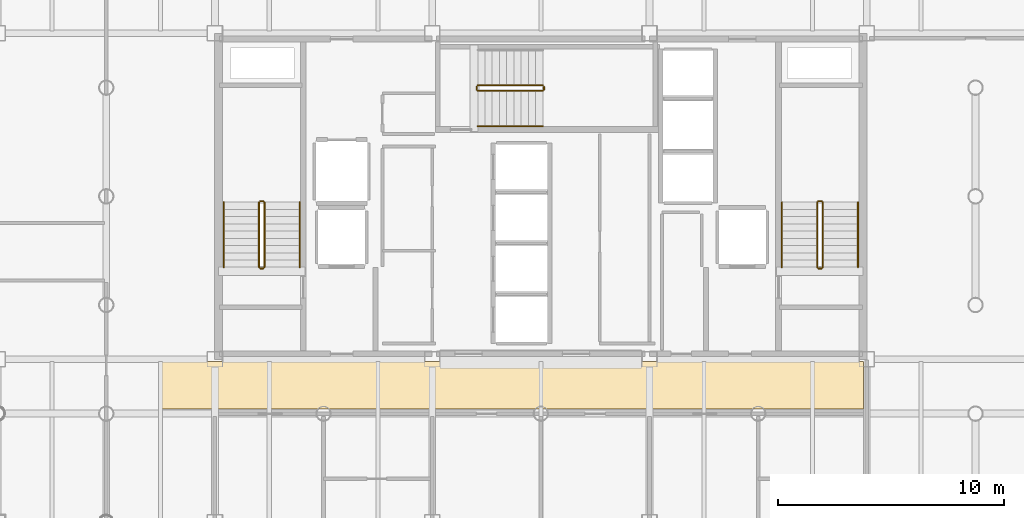
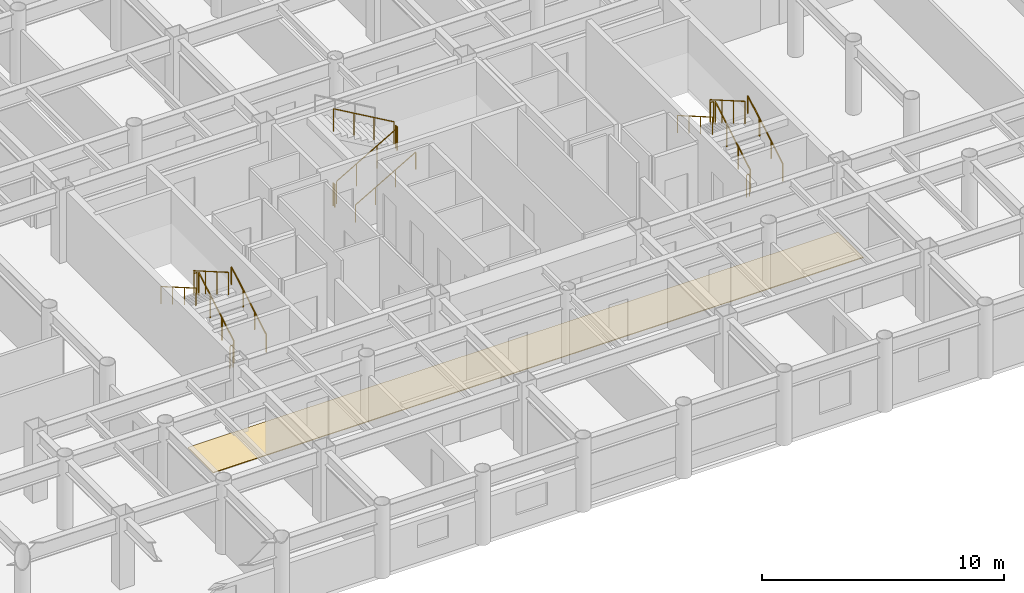
# One storey, part 20 of 21: 17 railings, 1 covering.
"""IFC4 building model written with IfcOpenShell, lengths in metres."""

from ifc_helpers import new_model, si_unit, direction, frame, origin, origin_2d, place, context, subcontext, project, spatial, rectangle, circle, extrude, material, layer, layer_set, type_object, element, save


model = new_model("IFC4")

# Units and contexts
model_context = context("Model", 3, precision=1e-05, world=origin(), true_north=direction((0.0, 1.0)))
body_context = subcontext(model_context, "Body", "Model", "MODEL_VIEW")
ifc_project = project(units=[si_unit("LENGTHUNIT", "METRE"), si_unit("AREAUNIT", "SQUARE_METRE"), si_unit("VOLUMEUNIT", "CUBIC_METRE"), si_unit("PLANEANGLEUNIT", "RADIAN"), si_unit("MASSUNIT", "GRAM", prefix="KILO")], contexts=[model_context])

# Site, building, storey
site_placement = place(None, origin())
site = spatial("IfcSite", under=ifc_project, at=site_placement, CompositionType="ELEMENT")
building_placement = place(site_placement, origin())
building = spatial("IfcBuilding", under=site, at=building_placement, Name="Kallvorn Hotel Tower", CompositionType="ELEMENT")
storey_placement = place(building_placement, frame((0.0, 0.0, 139.60009765625)))
storey = spatial("IfcBuildingStorey", under=building, at=storey_placement, Name="L34", CompositionType="ELEMENT", Elevation=139.60009765625)

# Covering
ifc_material_1 = material(Name="Honed Andean stone terrazzo floor finish", Category="masonry")
ifc_layer_1 = layer(ifc_material_1, 0.0400390625)
ifc_layer_set_1 = layer_set([ifc_layer_1], Name="COV_FLOOR_TERR")
covering_type = type_object("IfcCoveringType", Name="COV_FLOOR_TERR", PredefinedType="FLOORING", material=ifc_layer_set_1)
covering_placement = place(storey_placement, frame((-1.27490234375, -8.35009765625, 0.0), z_axis=(0.0, 0.0, 1.0), x_axis=(1.0, 0.0, 0.0)))
element("IfcCovering", 1, at=covering_placement, inside=storey, type_object=covering_type, Name="L34 Honed Terrazzo Lobby Flooring 01", PredefinedType="FLOORING", context=body_context, shape_type="SweptSolid", body=[
    extrude(rectangle(XDim=31.050048828125, YDim=2.10009765625, at=origin_2d()), origin(), (0.0, 0.0, 1.0), 0.0400390625),
])

# Railings
ifc_material_2 = material(Name="Brushed stainless-steel tubular railing", Category="steel")
ifc_layer_2 = layer(ifc_material_2, 0.050048828125)
ifc_layer_set_2 = layer_set([ifc_layer_2], Name="RL_STAIR_GUARD")
railing_type_1 = type_object("IfcRailingType", Name="RL_STAIR_GUARD", PredefinedType="GUARDRAIL", material=ifc_layer_set_2)
railing_1_placement = place(storey_placement, frame((-12.2099609375, -3.139892578125, 0.184814453125)))
element("IfcRailing", 2, at=railing_1_placement, inside=storey, type_object=railing_type_1, Name="L34 ST1 stair guard 1", PredefinedType="GUARDRAIL", context=body_context, shape_type="SweptSolid", body=[
    extrude(circle(Radius=0.02392578125, at=origin_2d()), frame((0.0, 0.0, 1.1259765625), z_axis=(0.0, 0.865720918037, 0.500527014328), x_axis=(-1.0, 0.0, 0.0)), (0.0, 0.0, 1.0), 3.32666015625),
    extrude(circle(Radius=0.02099609375, at=origin_2d()), origin(), (0.0, 0.0, 1.0), 1.101806640625),
    extrude(circle(Radius=0.02099609375, at=origin_2d()), frame((0.0, 0.9599609375, 0.554931640625)), (0.0, 0.0, 1.0), 1.101806640625),
    extrude(circle(Radius=0.02099609375, at=origin_2d()), frame((0.0, 1.919921875, 1.110107421875)), (0.0, 0.0, 1.0), 1.101806640625),
    extrude(circle(Radius=0.02099609375, at=origin_2d()), frame((0.0, 2.8798828125, 1.6650390625)), (0.0, 0.0, 1.0), 1.101806640625),
])
railing_2_placement = place(storey_placement, frame((-12.260009765625, -0.2099609375, 1.849853515625)))
element("IfcRailing", 3, at=railing_2_placement, inside=storey, type_object=railing_type_1, Name="L34 ST1 stair guard 2", PredefinedType="GUARDRAIL", context=body_context, shape_type="SweptSolid", body=[
    extrude(circle(Radius=0.02392578125, at=origin_2d()), frame((0.0, 0.0, 1.1259765625), z_axis=(-1.0, 0.0, 0.0), x_axis=(0.0, -1.0, 0.0)), (0.0, 0.0, 1.0), 0.139892578125),
    extrude(circle(Radius=0.02099609375, at=origin_2d()), origin(), (0.0, 0.0, 1.0), 1.101806640625),
    extrude(circle(Radius=0.02099609375, at=origin_2d()), frame((-0.139892578125, 0.0, 0.0)), (0.0, 0.0, 1.0), 1.101806640625),
])
railing_3_placement = place(storey_placement, frame((-12.449951171875, -0.260009765625, 2.034912109375)))
element("IfcRailing", 4, at=railing_3_placement, inside=storey, type_object=railing_type_1, Name="L34 ST1 stair guard 3", PredefinedType="GUARDRAIL", context=body_context, shape_type="SweptSolid", body=[
    extrude(circle(Radius=0.02392578125, at=origin_2d()), frame((0.0, 0.0, 1.1259765625), z_axis=(0.0, -0.865720918037, 0.500527014328), x_axis=(1.0, 0.0, 0.0)), (0.0, 0.0, 1.0), 3.32666015625),
    extrude(circle(Radius=0.02099609375, at=origin_2d()), origin(), (0.0, 0.0, 1.0), 1.101806640625),
    extrude(circle(Radius=0.02099609375, at=origin_2d()), frame((0.0, -0.9599609375, 0.554931640625)), (0.0, 0.0, 1.0), 1.101806640625),
    extrude(circle(Radius=0.02099609375, at=origin_2d()), frame((0.0, -1.919921875, 1.110107421875)), (0.0, 0.0, 1.0), 1.101806640625),
    extrude(circle(Radius=0.02099609375, at=origin_2d()), frame((0.0, -2.8798828125, 1.6650390625)), (0.0, 0.0, 1.0), 1.101806640625),
])
railing_4_placement = place(storey_placement, frame((-12.260009765625, -3.18994140625, 0.0)))
element("IfcRailing", 5, at=railing_4_placement, inside=storey, type_object=railing_type_1, Name="L34 ST1 stair guard 4", PredefinedType="GUARDRAIL", context=body_context, shape_type="SweptSolid", body=[
    extrude(circle(Radius=0.02392578125, at=origin_2d()), frame((0.0, 0.0, 1.1259765625), z_axis=(-1.0, 0.0, 0.0), x_axis=(0.0, -1.0, 0.0)), (0.0, 0.0, 1.0), 0.139892578125),
    extrude(circle(Radius=0.02099609375, at=origin_2d()), origin(), (0.0, 0.0, 1.0), 1.101806640625),
    extrude(circle(Radius=0.02099609375, at=origin_2d()), frame((-0.139892578125, 0.0, 0.0)), (0.0, 0.0, 1.0), 1.101806640625),
])
railing_5_placement = place(storey_placement, frame((12.449951171875, -3.139892578125, 0.184814453125)))
element("IfcRailing", 6, at=railing_5_placement, inside=storey, type_object=railing_type_1, Name="L34 ST2 stair guard 1", PredefinedType="GUARDRAIL", context=body_context, shape_type="SweptSolid", body=[
    extrude(circle(Radius=0.02392578125, at=origin_2d()), frame((0.0, 0.0, 1.1259765625), z_axis=(0.0, 0.865720918037, 0.500527014328), x_axis=(-1.0, 0.0, 0.0)), (0.0, 0.0, 1.0), 3.32666015625),
    extrude(circle(Radius=0.02099609375, at=origin_2d()), origin(), (0.0, 0.0, 1.0), 1.101806640625),
    extrude(circle(Radius=0.02099609375, at=origin_2d()), frame((0.0, 0.9599609375, 0.554931640625)), (0.0, 0.0, 1.0), 1.101806640625),
    extrude(circle(Radius=0.02099609375, at=origin_2d()), frame((0.0, 1.919921875, 1.110107421875)), (0.0, 0.0, 1.0), 1.101806640625),
    extrude(circle(Radius=0.02099609375, at=origin_2d()), frame((0.0, 2.8798828125, 1.6650390625)), (0.0, 0.0, 1.0), 1.101806640625),
])
railing_6_placement = place(storey_placement, frame((12.39990234375, -0.2099609375, 1.849853515625)))
element("IfcRailing", 7, at=railing_6_placement, inside=storey, type_object=railing_type_1, Name="L34 ST2 stair guard 2", PredefinedType="GUARDRAIL", context=body_context, shape_type="SweptSolid", body=[
    extrude(circle(Radius=0.02392578125, at=origin_2d()), frame((0.0, 0.0, 1.1259765625), z_axis=(-1.0, 0.0, 0.0), x_axis=(0.0, -1.0, 0.0)), (0.0, 0.0, 1.0), 0.139892578125),
    extrude(circle(Radius=0.02099609375, at=origin_2d()), origin(), (0.0, 0.0, 1.0), 1.101806640625),
    extrude(circle(Radius=0.02099609375, at=origin_2d()), frame((-0.139892578125, 0.0, 0.0)), (0.0, 0.0, 1.0), 1.101806640625),
])
railing_7_placement = place(storey_placement, frame((12.2099609375, -0.260009765625, 2.034912109375)))
element("IfcRailing", 8, at=railing_7_placement, inside=storey, type_object=railing_type_1, Name="L34 ST2 stair guard 3", PredefinedType="GUARDRAIL", context=body_context, shape_type="SweptSolid", body=[
    extrude(circle(Radius=0.02392578125, at=origin_2d()), frame((0.0, 0.0, 1.1259765625), z_axis=(0.0, -0.865720918037, 0.500527014328), x_axis=(1.0, 0.0, 0.0)), (0.0, 0.0, 1.0), 3.32666015625),
    extrude(circle(Radius=0.02099609375, at=origin_2d()), origin(), (0.0, 0.0, 1.0), 1.101806640625),
    extrude(circle(Radius=0.02099609375, at=origin_2d()), frame((0.0, -0.9599609375, 0.554931640625)), (0.0, 0.0, 1.0), 1.101806640625),
    extrude(circle(Radius=0.02099609375, at=origin_2d()), frame((0.0, -1.919921875, 1.110107421875)), (0.0, 0.0, 1.0), 1.101806640625),
    extrude(circle(Radius=0.02099609375, at=origin_2d()), frame((0.0, -2.8798828125, 1.6650390625)), (0.0, 0.0, 1.0), 1.101806640625),
])
railing_8_placement = place(storey_placement, frame((12.39990234375, -3.18994140625, 0.0)))
element("IfcRailing", 9, at=railing_8_placement, inside=storey, type_object=railing_type_1, Name="L34 ST2 stair guard 4", PredefinedType="GUARDRAIL", context=body_context, shape_type="SweptSolid", body=[
    extrude(circle(Radius=0.02392578125, at=origin_2d()), frame((0.0, 0.0, 1.1259765625), z_axis=(-1.0, 0.0, 0.0), x_axis=(0.0, -1.0, 0.0)), (0.0, 0.0, 1.0), 0.139892578125),
    extrude(circle(Radius=0.02099609375, at=origin_2d()), origin(), (0.0, 0.0, 1.0), 1.101806640625),
    extrude(circle(Radius=0.02099609375, at=origin_2d()), frame((-0.139892578125, 0.0, 0.0)), (0.0, 0.0, 1.0), 1.101806640625),
])
railing_9_placement = place(storey_placement, frame((-2.7900390625, 4.659912109375, 0.184814453125)))
element("IfcRailing", 10, at=railing_9_placement, inside=storey, type_object=railing_type_1, Name="L34 ST3 stair guard 1", PredefinedType="GUARDRAIL", context=body_context, shape_type="SweptSolid", body=[
    extrude(circle(Radius=0.02392578125, at=origin_2d()), frame((0.0, 0.0, 1.1259765625), z_axis=(0.865739302748, 0.0, 0.50049521444), x_axis=(0.0, 1.0, 0.0)), (0.0, 0.0, 1.0), 3.326904296875),
    extrude(circle(Radius=0.02099609375, at=origin_2d()), origin(), (0.0, 0.0, 1.0), 1.101806640625),
    extrude(circle(Radius=0.02099609375, at=origin_2d()), frame((0.9599609375, 0.0, 0.554931640625)), (0.0, 0.0, 1.0), 1.101806640625),
    extrude(circle(Radius=0.02099609375, at=origin_2d()), frame((1.920166015625, 0.0, 1.110107421875)), (0.0, 0.0, 1.0), 1.101806640625),
    extrude(circle(Radius=0.02099609375, at=origin_2d()), frame((2.880126953125, 0.0, 1.6650390625)), (0.0, 0.0, 1.0), 1.101806640625),
])
railing_10_placement = place(storey_placement, frame((0.139892578125, 4.7099609375, 1.849853515625)))
element("IfcRailing", 11, at=railing_10_placement, inside=storey, type_object=railing_type_1, Name="L34 ST3 stair guard 2", PredefinedType="GUARDRAIL", context=body_context, shape_type="SweptSolid", body=[
    extrude(circle(Radius=0.02392578125, at=origin_2d()), frame((0.0, 0.0, 1.1259765625), z_axis=(0.0, 1.0, 0.0), x_axis=(-1.0, 0.0, 0.0)), (0.0, 0.0, 1.0), 0.14013671875),
    extrude(circle(Radius=0.02099609375, at=origin_2d()), origin(), (0.0, 0.0, 1.0), 1.101806640625),
    extrude(circle(Radius=0.02099609375, at=origin_2d()), frame((0.0, 0.14013671875, 0.0)), (0.0, 0.0, 1.0), 1.101806640625),
])
railing_11_placement = place(storey_placement, frame((0.090087890625, 4.89990234375, 2.034912109375)))
element("IfcRailing", 12, at=railing_11_placement, inside=storey, type_object=railing_type_1, Name="L34 ST3 stair guard 3", PredefinedType="GUARDRAIL", context=body_context, shape_type="SweptSolid", body=[
    extrude(circle(Radius=0.02392578125, at=origin_2d()), frame((0.0, 0.0, 1.1259765625), z_axis=(-0.865739302748, 0.0, 0.50049521444), x_axis=(0.0, -1.0, 0.0)), (0.0, 0.0, 1.0), 3.326904296875),
    extrude(circle(Radius=0.02099609375, at=origin_2d()), origin(), (0.0, 0.0, 1.0), 1.101806640625),
    extrude(circle(Radius=0.02099609375, at=origin_2d()), frame((-0.9599609375, 0.0, 0.554931640625)), (0.0, 0.0, 1.0), 1.101806640625),
    extrude(circle(Radius=0.02099609375, at=origin_2d()), frame((-1.920166015625, 0.0, 1.110107421875)), (0.0, 0.0, 1.0), 1.101806640625),
    extrude(circle(Radius=0.02099609375, at=origin_2d()), frame((-2.880126953125, 0.0, 1.6650390625)), (0.0, 0.0, 1.0), 1.101806640625),
])
railing_12_placement = place(storey_placement, frame((-2.840087890625, 4.7099609375, 0.0)))
element("IfcRailing", 13, at=railing_12_placement, inside=storey, type_object=railing_type_1, Name="L34 ST3 stair guard 4", PredefinedType="GUARDRAIL", context=body_context, shape_type="SweptSolid", body=[
    extrude(circle(Radius=0.02392578125, at=origin_2d()), frame((0.0, 0.0, 1.1259765625), z_axis=(0.0, 1.0, 0.0), x_axis=(-1.0, 0.0, 0.0)), (0.0, 0.0, 1.0), 0.14013671875),
    extrude(circle(Radius=0.02099609375, at=origin_2d()), origin(), (0.0, 0.0, 1.0), 1.101806640625),
    extrude(circle(Radius=0.02099609375, at=origin_2d()), frame((0.0, 0.14013671875, 0.0)), (0.0, 0.0, 1.0), 1.101806640625),
])
ifc_material_3 = material(Name="Brushed stainless-steel tubular railing", Category="steel")
ifc_layer_3 = layer(ifc_material_3, 0.050048828125)
ifc_layer_set_3 = layer_set([ifc_layer_3], Name="RL_STAIR_HAND")
railing_type_2 = type_object("IfcRailingType", Name="RL_STAIR_HAND", PredefinedType="HANDRAIL", material=ifc_layer_set_3)
railing_13_placement = place(storey_placement, frame((-10.64990234375, -3.139892578125, 0.184814453125)))
element("IfcRailing", 14, at=railing_13_placement, inside=storey, type_object=railing_type_2, Name="L34 ST1 stair handrail 1", PredefinedType="HANDRAIL", context=body_context, shape_type="SweptSolid", body=[
    extrude(circle(Radius=0.02392578125, at=origin_2d()), frame((0.0, 0.0, 0.8759765625), z_axis=(0.0, 0.865720918037, 0.500527014328), x_axis=(-1.0, 0.0, 0.0)), (0.0, 0.0, 1.0), 3.32666015625),
    extrude(circle(Radius=0.02099609375, at=origin_2d()), origin(), (0.0, 0.0, 1.0), 0.851806640625),
    extrude(circle(Radius=0.02099609375, at=origin_2d()), frame((0.0, 0.9599609375, 0.554931640625)), (0.0, 0.0, 1.0), 0.851806640625),
    extrude(circle(Radius=0.02099609375, at=origin_2d()), frame((0.0, 1.919921875, 1.110107421875)), (0.0, 0.0, 1.0), 0.851806640625),
    extrude(circle(Radius=0.02099609375, at=origin_2d()), frame((0.0, 2.8798828125, 1.6650390625)), (0.0, 0.0, 1.0), 0.851806640625),
])
railing_14_placement = place(storey_placement, frame((-14.010009765625, -0.260009765625, 2.034912109375)))
element("IfcRailing", 15, at=railing_14_placement, inside=storey, type_object=railing_type_2, Name="L34 ST1 stair handrail 2", PredefinedType="HANDRAIL", context=body_context, shape_type="SweptSolid", body=[
    extrude(circle(Radius=0.02392578125, at=origin_2d()), frame((0.0, 0.0, 0.8759765625), z_axis=(0.0, -0.865720918037, 0.500527014328), x_axis=(1.0, 0.0, 0.0)), (0.0, 0.0, 1.0), 3.32666015625),
    extrude(circle(Radius=0.02099609375, at=origin_2d()), origin(), (0.0, 0.0, 1.0), 0.851806640625),
    extrude(circle(Radius=0.02099609375, at=origin_2d()), frame((0.0, -0.9599609375, 0.554931640625)), (0.0, 0.0, 1.0), 0.851806640625),
    extrude(circle(Radius=0.02099609375, at=origin_2d()), frame((0.0, -1.919921875, 1.110107421875)), (0.0, 0.0, 1.0), 0.851806640625),
    extrude(circle(Radius=0.02099609375, at=origin_2d()), frame((0.0, -2.8798828125, 1.6650390625)), (0.0, 0.0, 1.0), 0.851806640625),
])
railing_15_placement = place(storey_placement, frame((14.010009765625, -3.139892578125, 0.184814453125)))
element("IfcRailing", 16, at=railing_15_placement, inside=storey, type_object=railing_type_2, Name="L34 ST2 stair handrail 1", PredefinedType="HANDRAIL", context=body_context, shape_type="SweptSolid", body=[
    extrude(circle(Radius=0.02392578125, at=origin_2d()), frame((0.0, 0.0, 0.8759765625), z_axis=(0.0, 0.865720918037, 0.500527014328), x_axis=(-1.0, 0.0, 0.0)), (0.0, 0.0, 1.0), 3.32666015625),
    extrude(circle(Radius=0.02099609375, at=origin_2d()), origin(), (0.0, 0.0, 1.0), 0.851806640625),
    extrude(circle(Radius=0.02099609375, at=origin_2d()), frame((0.0, 0.9599609375, 0.554931640625)), (0.0, 0.0, 1.0), 0.851806640625),
    extrude(circle(Radius=0.02099609375, at=origin_2d()), frame((0.0, 1.919921875, 1.110107421875)), (0.0, 0.0, 1.0), 0.851806640625),
    extrude(circle(Radius=0.02099609375, at=origin_2d()), frame((0.0, 2.8798828125, 1.6650390625)), (0.0, 0.0, 1.0), 0.851806640625),
])
railing_16_placement = place(storey_placement, frame((10.64990234375, -0.260009765625, 2.034912109375)))
element("IfcRailing", 17, at=railing_16_placement, inside=storey, type_object=railing_type_2, Name="L34 ST2 stair handrail 2", PredefinedType="HANDRAIL", context=body_context, shape_type="SweptSolid", body=[
    extrude(circle(Radius=0.02392578125, at=origin_2d()), frame((0.0, 0.0, 0.8759765625), z_axis=(0.0, -0.865720918037, 0.500527014328), x_axis=(1.0, 0.0, 0.0)), (0.0, 0.0, 1.0), 3.32666015625),
    extrude(circle(Radius=0.02099609375, at=origin_2d()), origin(), (0.0, 0.0, 1.0), 0.851806640625),
    extrude(circle(Radius=0.02099609375, at=origin_2d()), frame((0.0, -0.9599609375, 0.554931640625)), (0.0, 0.0, 1.0), 0.851806640625),
    extrude(circle(Radius=0.02099609375, at=origin_2d()), frame((0.0, -1.919921875, 1.110107421875)), (0.0, 0.0, 1.0), 0.851806640625),
    extrude(circle(Radius=0.02099609375, at=origin_2d()), frame((0.0, -2.8798828125, 1.6650390625)), (0.0, 0.0, 1.0), 0.851806640625),
])
railing_17_placement = place(storey_placement, frame((-2.7900390625, 3.10009765625, 0.184814453125)))
element("IfcRailing", 18, at=railing_17_placement, inside=storey, type_object=railing_type_2, Name="L34 ST3 stair handrail 1", PredefinedType="HANDRAIL", context=body_context, shape_type="SweptSolid", body=[
    extrude(circle(Radius=0.02392578125, at=origin_2d()), frame((0.0, 0.0, 0.8759765625), z_axis=(0.865739302748, 0.0, 0.50049521444), x_axis=(0.0, 1.0, 0.0)), (0.0, 0.0, 1.0), 3.326904296875),
    extrude(circle(Radius=0.02099609375, at=origin_2d()), origin(), (0.0, 0.0, 1.0), 0.851806640625),
    extrude(circle(Radius=0.02099609375, at=origin_2d()), frame((0.9599609375, 0.0, 0.554931640625)), (0.0, 0.0, 1.0), 0.851806640625),
    extrude(circle(Radius=0.02099609375, at=origin_2d()), frame((1.920166015625, 0.0, 1.110107421875)), (0.0, 0.0, 1.0), 0.851806640625),
    extrude(circle(Radius=0.02099609375, at=origin_2d()), frame((2.880126953125, 0.0, 1.6650390625)), (0.0, 0.0, 1.0), 0.851806640625),
])

save(model, "model.ifc")
